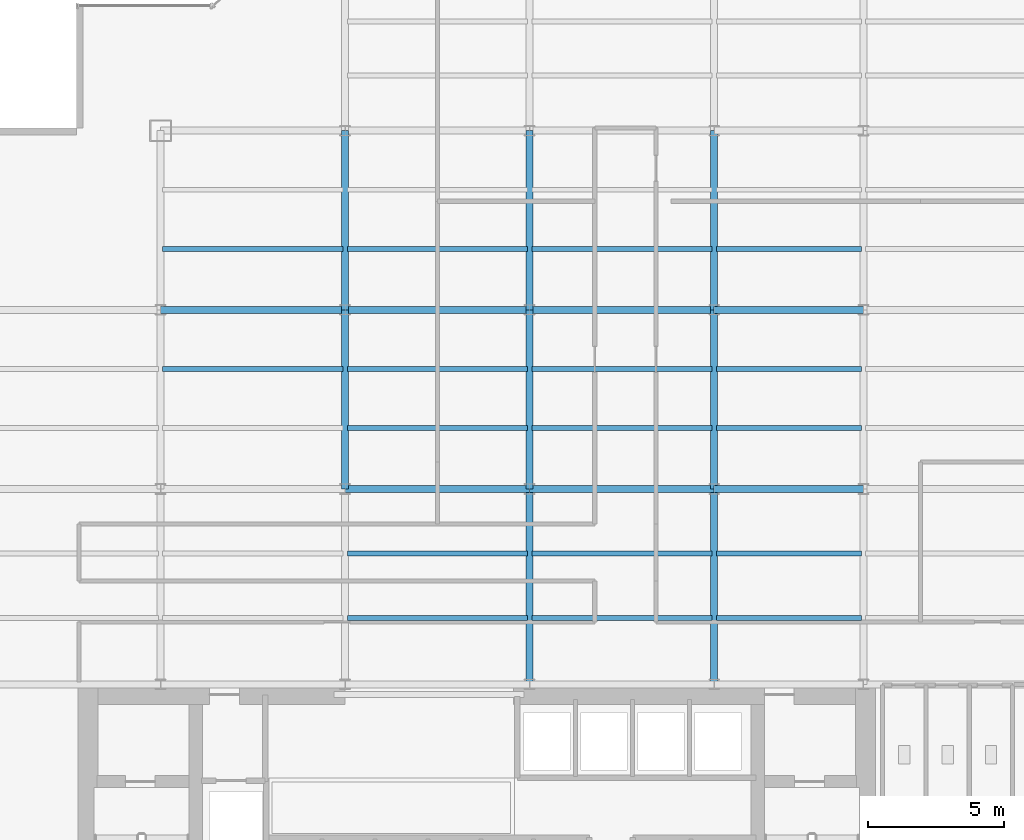
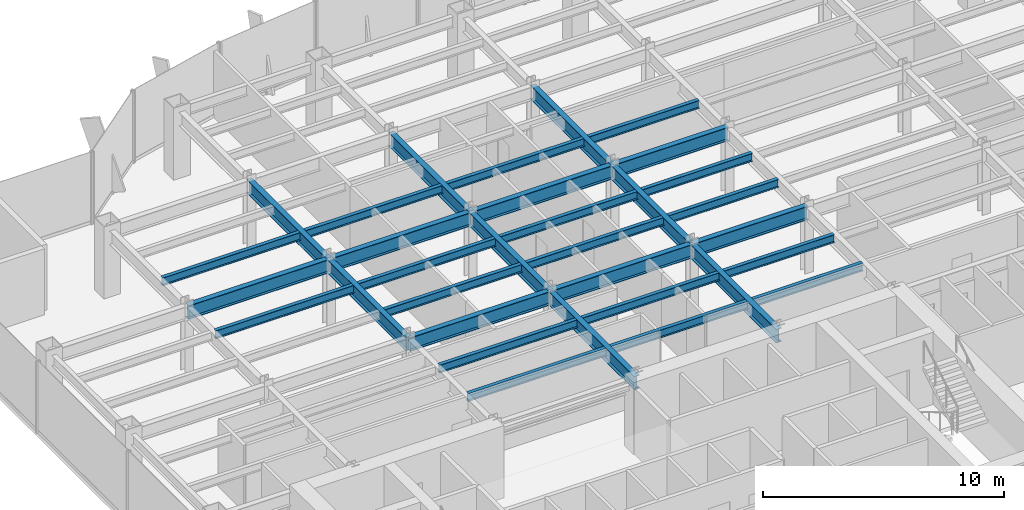
# One storey, part 7 of 26: 32 beams.
"""IFC4 building model written with IfcOpenShell, lengths in metres."""

from ifc_helpers import new_model, si_unit, derived_unit, direction, frame, origin, origin_2d, place, context, subcontext, project, spatial, i_section, extrude, source, transform, mapped, material, material_profile, profile_set, type_object, element, save


model = new_model("IFC4")

# Units and contexts
model_context = context("Model", 3, precision=1e-05, world=origin(), true_north=direction((0.0, 1.0)))
body_context = subcontext(model_context, "Body", "Model", "MODEL_VIEW")
ifc_project = project(units=[si_unit("LENGTHUNIT", "METRE"), si_unit("AREAUNIT", "SQUARE_METRE"), si_unit("VOLUMEUNIT", "CUBIC_METRE"), si_unit("PLANEANGLEUNIT", "RADIAN"), si_unit("MASSUNIT", "GRAM", prefix="KILO"), derived_unit("THERMALTRANSMITTANCEUNIT", [(si_unit("POWERUNIT", "WATT"), 1), (si_unit("LENGTHUNIT", "METRE"), -2), (si_unit("THERMODYNAMICTEMPERATUREUNIT", "KELVIN"), -1)])], contexts=[model_context])

# Site, building, storey
site_placement = place(None, origin())
site = spatial("IfcSite", under=ifc_project, at=site_placement, CompositionType="ELEMENT")
building_placement = place(site_placement, origin())
building = spatial("IfcBuilding", under=site, at=building_placement, Name="Skarnbrae Concourse Arena and Tower", CompositionType="ELEMENT")
storey_placement = place(building_placement, frame((0.0, 0.0, 132.449951171875)))
storey = spatial("IfcBuildingStorey", under=building, at=storey_placement, Name="L33", CompositionType="ELEMENT", Elevation=132.449951171875)

# Beams
ifc_material = material(Name="Steel CSA G40.21 350W", Category="steel")
ifc_material_profile_1 = material_profile(ifc_material, i_section(OverallWidth=0.256103515625, OverallDepth=0.693115234375, WebThickness=0.014404296875, FlangeThickness=0.023681640625, at=origin_2d()), Name="W690X170")
ifc_profile_set_1 = profile_set([ifc_material_profile_1], Name="Steel CSA G40.21 350W")
beam_type_1 = type_object("IfcBeamType", Name="BM-GIRD-W690X170", PredefinedType="BEAM", material=ifc_profile_set_1)
shared_shape_1 = source(origin(), body_context, "Body", "SweptSolid", [
    extrude(i_section(OverallWidth=0.256103515625, OverallDepth=0.693115234375, WebThickness=0.014404296875, FlangeThickness=0.023681640625, at=origin_2d()), origin(), (0.0, 0.0, 1.0), 6.60009765625),
])
for number, where, z_axis, x_axis, name in (
    (1, (14.39990234375, 21.199951171875, 3.003662109375), (0.0, 1.0, 0.0), (-1.0, 0.0, 0.0), "L33 Primary N-S girder X14.4-2"),
    (2, (21.199951171875, 21.199951171875, 3.003662109375), (0.0, 1.0, 0.0), (-1.0, 0.0, 0.0), "L33 Primary N-S girder X21.2-2"),
    (3, (28.0, 21.199951171875, 3.003662109375), (0.0, 1.0, 0.0), (-1.0, 0.0, 0.0), "L33 Primary N-S girder X28.0-2"),
):
    element("IfcBeam", number, at=place(storey_placement, frame(where, z_axis=z_axis, x_axis=x_axis)), inside=storey, type_object=beam_type_1, Name=name, PredefinedType="BEAM", context=body_context, shape_type="MappedRepresentation", body=[
        mapped(shared_shape_1, transform((0.0, 0.0, 0.0))),
    ])
shared_shape_2 = source(origin(), body_context, "Body", "SweptSolid", [
    extrude(i_section(OverallWidth=0.256103515625, OverallDepth=0.693115234375, WebThickness=0.014404296875, FlangeThickness=0.023681640625, at=origin_2d()), origin(), (0.0, 0.0, 1.0), 6.7998046875),
])
beam_placement = place(storey_placement, frame((7.60009765625, 27.800048828125, 3.003662109375), z_axis=(1.0, 0.0, 0.0), x_axis=(0.0, 1.0, 0.0)))
element("IfcBeam", 4, at=beam_placement, inside=storey, type_object=beam_type_1, Name="L33 Primary E-W girder Y27.8-2", PredefinedType="BEAM", context=body_context, shape_type="MappedRepresentation", body=[
    mapped(shared_shape_2, transform((0.0, 0.0, 0.0))),
])
shared_shape_3 = source(origin(), body_context, "Body", "SweptSolid", [
    extrude(i_section(OverallWidth=0.256103515625, OverallDepth=0.693115234375, WebThickness=0.014404296875, FlangeThickness=0.023681640625, at=origin_2d()), origin(), (0.0, 0.0, 1.0), 6.800048828125),
])
for number, where, z_axis, x_axis, name in (
    (5, (14.39990234375, 21.199951171875, 3.003662109375), (1.0, 0.0, 0.0), (0.0, 1.0, 0.0), "L33 Primary E-W girder Y21.2-3"),
    (6, (21.199951171875, 21.199951171875, 3.003662109375), (1.0, 0.0, 0.0), (0.0, 1.0, 0.0), "L33 Primary E-W girder Y21.2-4"),
    (7, (14.39990234375, 27.800048828125, 3.003662109375), (1.0, 0.0, 0.0), (0.0, 1.0, 0.0), "L33 Primary E-W girder Y27.8-3"),
    (8, (21.199951171875, 27.800048828125, 3.003662109375), (1.0, 0.0, 0.0), (0.0, 1.0, 0.0), "L33 Primary E-W girder Y27.8-4"),
):
    element("IfcBeam", number, at=place(storey_placement, frame(where, z_axis=z_axis, x_axis=x_axis)), inside=storey, type_object=beam_type_1, Name=name, PredefinedType="BEAM", context=body_context, shape_type="MappedRepresentation", body=[
        mapped(shared_shape_3, transform((0.0, 0.0, 0.0))),
    ])
shared_shape_4 = source(origin(), body_context, "Body", "SweptSolid", [
    extrude(i_section(OverallWidth=0.256103515625, OverallDepth=0.693115234375, WebThickness=0.014404296875, FlangeThickness=0.023681640625, at=origin_2d()), origin(), (0.0, 0.0, 1.0), 5.5),
])
for number, where, z_axis, x_axis, name in (
    (9, (28.0, 21.199951171875, 3.003662109375), (1.0, 0.0, 0.0), (0.0, 1.0, 0.0), "L33 Primary E-W girder Y21.2-5"),
    (10, (28.0, 27.800048828125, 3.003662109375), (1.0, 0.0, 0.0), (0.0, 1.0, 0.0), "L33 Primary E-W girder Y27.8-5"),
):
    element("IfcBeam", number, at=place(storey_placement, frame(where, z_axis=z_axis, x_axis=x_axis)), inside=storey, type_object=beam_type_1, Name=name, PredefinedType="BEAM", context=body_context, shape_type="MappedRepresentation", body=[
        mapped(shared_shape_4, transform((0.0, 0.0, 0.0))),
    ])
shared_shape_5 = source(origin(), body_context, "Body", "SweptSolid", [
    extrude(i_section(OverallWidth=0.256103515625, OverallDepth=0.693115234375, WebThickness=0.014404296875, FlangeThickness=0.023681640625, at=origin_2d()), origin(), (0.0, 0.0, 1.0), 7.199951171875),
])
for number, where, z_axis, x_axis, name in (
    (11, (21.199951171875, 14.0, 3.003662109375), (0.0, 1.0, 0.0), (-1.0, 0.0, 0.0), "L33 Primary N-S girder X21.2-1"),
    (12, (28.0, 14.0, 3.003662109375), (0.0, 1.0, 0.0), (-1.0, 0.0, 0.0), "L33 Primary N-S girder X28.0-1"),
):
    element("IfcBeam", number, at=place(storey_placement, frame(where, z_axis=z_axis, x_axis=x_axis)), inside=storey, type_object=beam_type_1, Name=name, PredefinedType="BEAM", context=body_context, shape_type="MappedRepresentation", body=[
        mapped(shared_shape_5, transform((0.0, 0.0, 0.0))),
    ])
shared_shape_6 = source(origin(), body_context, "Body", "SweptSolid", [
    extrude(i_section(OverallWidth=0.256103515625, OverallDepth=0.693115234375, WebThickness=0.014404296875, FlangeThickness=0.023681640625, at=origin_2d()), origin(), (0.0, 0.0, 1.0), 6.599853515625),
])
for number, where, z_axis, x_axis, name in (
    (13, (14.39990234375, 27.800048828125, 3.003662109375), (0.0, 1.0, 0.0), (-1.0, 0.0, 0.0), "L33 Primary N-S girder X14.4-3"),
    (14, (21.199951171875, 27.800048828125, 3.003662109375), (0.0, 1.0, 0.0), (-1.0, 0.0, 0.0), "L33 Primary N-S girder X21.2-3"),
    (15, (28.0, 27.800048828125, 3.003662109375), (0.0, 1.0, 0.0), (-1.0, 0.0, 0.0), "L33 Primary N-S girder X28.0-3"),
):
    element("IfcBeam", number, at=place(storey_placement, frame(where, z_axis=z_axis, x_axis=x_axis)), inside=storey, type_object=beam_type_1, Name=name, PredefinedType="BEAM", context=body_context, shape_type="MappedRepresentation", body=[
        mapped(shared_shape_6, transform((0.0, 0.0, 0.0))),
    ])
ifc_material_profile_2 = material_profile(ifc_material, i_section(OverallWidth=0.177978515625, OverallDepth=0.406982421875, WebThickness=0.0078125, FlangeThickness=0.0126953125, at=origin_2d()), Name="W410X60")
ifc_profile_set_2 = profile_set([ifc_material_profile_2], Name="Steel CSA G40.21 350W")
beam_type_2 = type_object("IfcBeamType", Name="BM-JOIST-W410X60", PredefinedType="JOIST", material=ifc_profile_set_2)
shared_shape_7 = source(origin(), body_context, "Body", "SweptSolid", [
    extrude(i_section(OverallWidth=0.177978515625, OverallDepth=0.406982421875, WebThickness=0.0078125, FlangeThickness=0.0126953125, at=origin_2d()), origin(), (0.0, 0.0, 1.0), 6.64013671875),
])
for number, where, z_axis, x_axis, name in (
    (16, (14.47998046875, 16.447998046875, 3.146484375), (1.0, 0.0, 0.0), (0.0, 1.0, 0.0), "L33 Secondary floor joist 1.1.3"),
    (17, (14.47998046875, 18.823974609375, 3.146484375), (1.0, 0.0, 0.0), (0.0, 1.0, 0.0), "L33 Secondary floor joist 1.2.3"),
    (18, (14.47998046875, 23.444091796875, 3.146484375), (1.0, 0.0, 0.0), (0.0, 1.0, 0.0), "L33 Secondary floor joist 2.1.3"),
    (19, (7.679931640625, 25.6220703125, 3.146484375), (1.0, 0.0, 0.0), (0.0, 1.0, 0.0), "L33 Secondary floor joist 2.2.2"),
    (20, (14.47998046875, 25.6220703125, 3.146484375), (1.0, 0.0, 0.0), (0.0, 1.0, 0.0), "L33 Secondary floor joist 2.2.3"),
    (21, (7.679931640625, 30.0439453125, 3.146484375), (1.0, 0.0, 0.0), (0.0, 1.0, 0.0), "L33 Secondary floor joist 3.1.1"),
    (22, (14.47998046875, 30.0439453125, 3.146484375), (1.0, 0.0, 0.0), (0.0, 1.0, 0.0), "L33 Secondary floor joist 3.1.2"),
):
    element("IfcBeam", number, at=place(storey_placement, frame(where, z_axis=z_axis, x_axis=x_axis)), inside=storey, type_object=beam_type_2, Name=name, PredefinedType="JOIST", context=body_context, shape_type="MappedRepresentation", body=[
        mapped(shared_shape_7, transform((0.0, 0.0, 0.0))),
    ])
shared_shape_8 = source(origin(), body_context, "Body", "SweptSolid", [
    extrude(i_section(OverallWidth=0.177978515625, OverallDepth=0.406982421875, WebThickness=0.0078125, FlangeThickness=0.0126953125, at=origin_2d()), origin(), (0.0, 0.0, 1.0), 6.639892578125),
])
for number, where, z_axis, x_axis, name in (
    (23, (21.280029296875, 16.447998046875, 3.146484375), (1.0, 0.0, 0.0), (0.0, 1.0, 0.0), "L33 Secondary floor joist 1.1.4"),
    (24, (21.280029296875, 18.823974609375, 3.146484375), (1.0, 0.0, 0.0), (0.0, 1.0, 0.0), "L33 Secondary floor joist 1.2.4"),
    (25, (21.280029296875, 23.444091796875, 3.146484375), (1.0, 0.0, 0.0), (0.0, 1.0, 0.0), "L33 Secondary floor joist 2.1.4"),
    (26, (21.280029296875, 25.6220703125, 3.146484375), (1.0, 0.0, 0.0), (0.0, 1.0, 0.0), "L33 Secondary floor joist 2.2.4"),
    (27, (21.280029296875, 30.0439453125, 3.146484375), (1.0, 0.0, 0.0), (0.0, 1.0, 0.0), "L33 Secondary floor joist 3.1.3"),
):
    element("IfcBeam", number, at=place(storey_placement, frame(where, z_axis=z_axis, x_axis=x_axis)), inside=storey, type_object=beam_type_2, Name=name, PredefinedType="JOIST", context=body_context, shape_type="MappedRepresentation", body=[
        mapped(shared_shape_8, transform((0.0, 0.0, 0.0))),
    ])
shared_shape_9 = source(origin(), body_context, "Body", "SweptSolid", [
    extrude(i_section(OverallWidth=0.177978515625, OverallDepth=0.406982421875, WebThickness=0.0078125, FlangeThickness=0.0126953125, at=origin_2d()), origin(), (0.0, 0.0, 1.0), 5.33984375),
])
for number, where, z_axis, x_axis, name in (
    (28, (28.080078125, 16.447998046875, 3.146484375), (1.0, 0.0, 0.0), (0.0, 1.0, 0.0), "L33 Secondary floor joist 1.1.5"),
    (29, (28.080078125, 18.823974609375, 3.146484375), (1.0, 0.0, 0.0), (0.0, 1.0, 0.0), "L33 Secondary floor joist 1.2.5"),
    (30, (28.080078125, 23.444091796875, 3.146484375), (1.0, 0.0, 0.0), (0.0, 1.0, 0.0), "L33 Secondary floor joist 2.1.5"),
    (31, (28.080078125, 25.6220703125, 3.146484375), (1.0, 0.0, 0.0), (0.0, 1.0, 0.0), "L33 Secondary floor joist 2.2.5"),
    (32, (28.080078125, 30.0439453125, 3.146484375), (1.0, 0.0, 0.0), (0.0, 1.0, 0.0), "L33 Secondary floor joist 3.1.4"),
):
    element("IfcBeam", number, at=place(storey_placement, frame(where, z_axis=z_axis, x_axis=x_axis)), inside=storey, type_object=beam_type_2, Name=name, PredefinedType="JOIST", context=body_context, shape_type="MappedRepresentation", body=[
        mapped(shared_shape_9, transform((0.0, 0.0, 0.0))),
    ])

save(model, "model.ifc")
